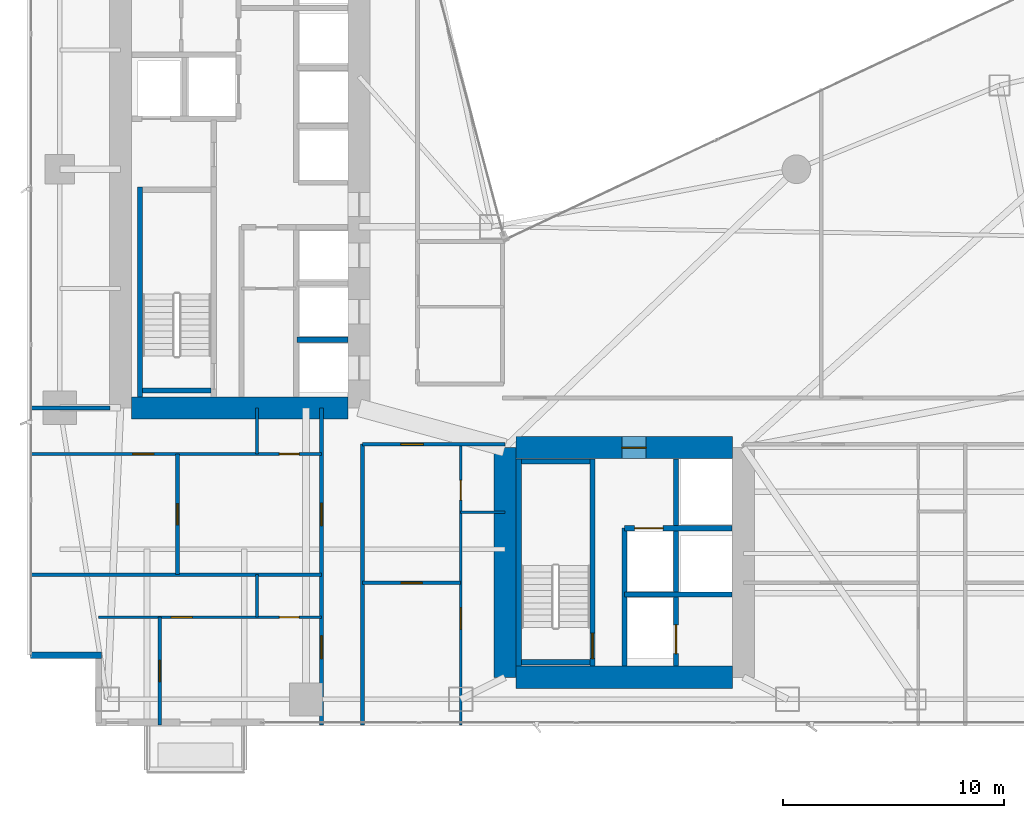
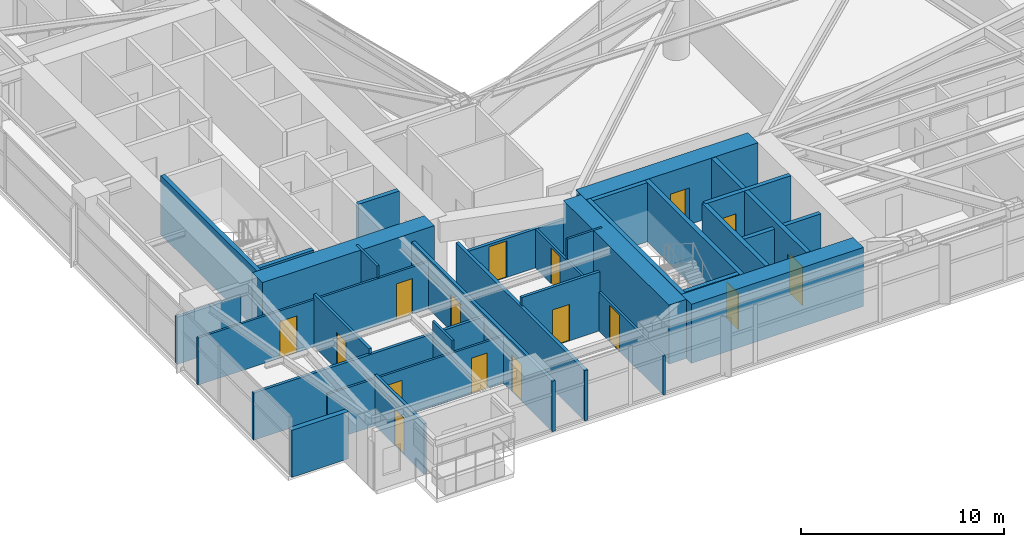
# One storey, part 22 of 29: 30 walls, 16 doors, 16 openings.
"""IFC4 building model written with IfcOpenShell, lengths in metres."""

from ifc_helpers import new_model, si_unit, direction, frame, frame_2d, origin, place, context, subcontext, project, spatial, rectangle, extrude, material, layer, layer_set, type_object, element, fill, save


model = new_model("IFC4")

# Units and contexts
model_context = context("Model", 3, precision=1e-05, world=origin(), true_north=direction((0.0, 1.0)))
body_context = subcontext(model_context, "Body", "Model", "MODEL_VIEW")
ifc_project = project(units=[si_unit("LENGTHUNIT", "METRE"), si_unit("AREAUNIT", "SQUARE_METRE"), si_unit("VOLUMEUNIT", "CUBIC_METRE"), si_unit("PLANEANGLEUNIT", "RADIAN"), si_unit("MASSUNIT", "GRAM", prefix="KILO")], contexts=[model_context])

# Site, building, storey
site_placement = place(None, origin())
site = spatial("IfcSite", under=ifc_project, at=site_placement, CompositionType="ELEMENT")
building_placement = place(site_placement, origin())
building = spatial("IfcBuilding", under=site, at=building_placement, Name="Calvorn Quay Hotel", CompositionType="ELEMENT")
storey_placement = place(building_placement, frame((0.0, 0.0, 69.800048828125)))
storey = spatial("IfcBuildingStorey", under=building, at=storey_placement, Name="L16", CompositionType="ELEMENT", Elevation=69.800048828125)

# Walls
ifc_material_1 = material(Name="Concrete C60", Category="concrete")
ifc_layer_1 = layer(ifc_material_1, 1.0)
ifc_layer_set_1 = layer_set([ifc_layer_1], Name="WL-CORE-1000")
wall_type_1 = type_object("IfcWallType", Name="WL-CORE-1000", PredefinedType="SHEAR", material=ifc_layer_set_1)
wall_1_placement = place(storey_placement, frame((4.699951171875, 16.800048828125, 0.0), z_axis=(0.0, 0.0, 1.0), x_axis=(1.0, 0.0, 0.0)))
element("IfcWall", 1, at=wall_1_placement, inside=storey, type_object=wall_type_1, Name="West Core Shear Wall S (L16)", PredefinedType="SHEAR", context=body_context, shape_type="SweptSolid", body=[
    extrude(rectangle(XDim=9.800048828125, YDim=1.0, at=frame_2d((4.89990234375, 0.0))), origin(), (0.0, 0.0, 1.0), 3.56005859375),
])
wall_2_placement = place(storey_placement, frame((21.60009765625, 4.60009765625, 0.0), z_axis=(0.0, 0.0, 1.0), x_axis=(0.0, 1.0, 0.0)))
element("IfcWall", 2, at=wall_2_placement, inside=storey, type_object=wall_type_1, Name="East Core Shear Wall W (L16)", PredefinedType="SHEAR", context=body_context, shape_type="SweptSolid", body=[
    extrude(rectangle(XDim=10.39990234375, YDim=1.0, at=frame_2d((5.199951171875, 0.0))), origin(), (0.0, 0.0, 1.0), 3.56005859375),
])

# Wall, opening, door
wall_3_placement = place(storey_placement, frame((22.10009765625, 15.0, 0.0), z_axis=(0.0, 0.0, 1.0), x_axis=(1.0, 0.0, 0.0)))
wall_3 = element("IfcWall", 3, at=wall_3_placement, inside=storey, type_object=wall_type_1, Name="East Core Shear Wall N (L16)", PredefinedType="SHEAR", context=body_context, shape_type="SweptSolid", body=[
    extrude(rectangle(XDim=9.7998046875, YDim=1.0, at=frame_2d((4.89990234375, 0.0))), origin(), (0.0, 0.0, 1.0), 3.56005859375),
])
opening_1_placement = place(wall_3_placement, frame((4.800048828125, 0.0, 0.0)))
opening_1 = element("IfcOpeningElement", 4, at=opening_1_placement, cuts=wall_3, Name="Opening D-L16-FLE", PredefinedType="OPENING", context=body_context, shape_type="SweptSolid", body=[
    extrude(rectangle(XDim=1.10009765625, YDim=2.199951171875, at=frame_2d((0.550048828125, 1.10009765625))), frame((0.0, 0.510009765625, 0.0), z_axis=(0.0, -1.0, 0.0), x_axis=(1.0, 0.0, 0.0)), (0.0, 0.0, 1.0), 1.02001953125),
])
ifc_material_2 = material(Name="Smoke-Sealed Steel Class A Fire Door", Category="steel")
door_type_1 = type_object("IfcDoorType", Name="DR-FFLOBBY-1100", OperationType="NOTDEFINED", PredefinedType="DOOR", material=ifc_material_2)
door_1_placement = place(opening_1_placement, origin())
door_1 = element("IfcDoor", 5, at=door_1_placement, inside=storey, type_object=door_type_1, Name="East Firefighting Lobby Fire Door (L16)", OperationType="SINGLE_SWING_RIGHT", OverallHeight=2.199951171875, OverallWidth=1.10009765625, PredefinedType="DOOR", context=body_context, shape_type="SweptSolid", body=[
    extrude(rectangle(XDim=1.10009765625, YDim=2.199951171875, at=frame_2d((0.550048828125, 1.10009765625))), frame((0.0, 0.02490234375, 0.0), z_axis=(0.0, -1.0, 0.0), x_axis=(1.0, 0.0, 0.0)), (0.0, 0.0, 1.0), 0.050048828125),
])
fill(opening_1, door_1)

# Walls
wall_4_placement = place(storey_placement, frame((22.10009765625, 4.60009765625, 0.0), z_axis=(0.0, 0.0, 1.0), x_axis=(1.0, 0.0, 0.0)))
element("IfcWall", 6, at=wall_4_placement, inside=storey, type_object=wall_type_1, Name="East Core Shear Wall S (L16)", PredefinedType="SHEAR", context=body_context, shape_type="SweptSolid", body=[
    extrude(rectangle(XDim=9.7998046875, YDim=1.0, at=frame_2d((4.89990234375, 0.0))), origin(), (0.0, 0.0, 1.0), 3.56005859375),
])
ifc_material_3 = material(Name="Acoustic Fireboard Steel-Stud Partition", Category="steel")
ifc_layer_2 = layer(ifc_material_3, 0.179931640625)
ifc_layer_set_2 = layer_set([ifc_layer_2], Name="WL-CORR-FIRE-180")
wall_type_2 = type_object("IfcWallType", Name="WL-CORR-FIRE-180", PredefinedType="PARTITIONING", material=ifc_layer_set_2)
wall_5_placement = place(storey_placement, frame((0.080078125, 16.800048828125, 0.0), z_axis=(0.0, 0.0, 1.0), x_axis=(1.0, 0.0, 0.0)))
element("IfcWall", 7, at=wall_5_placement, inside=storey, type_object=wall_type_2, Name="Partition Wall L16-WL-WBAY-S-WALL", PredefinedType="PARTITIONING", context=body_context, shape_type="SweptSolid", body=[
    extrude(rectangle(XDim=3.64990234375, YDim=0.179931640625, at=frame_2d((1.824951171875, 0.0))), origin(), (0.0, 0.0, 1.0), 2.83984375),
])

# Wall, openings, doors
wall_6_placement = place(storey_placement, frame((13.300048828125, 2.43994140625, 0.0), z_axis=(0.0, 0.0, 1.0), x_axis=(0.0, 1.0, 0.0)))
wall_6 = element("IfcWall", 8, at=wall_6_placement, inside=storey, type_object=wall_type_2, Name="Partition Wall L16-WL-CORR-SW-LEG-W", PredefinedType="PARTITIONING", context=body_context, shape_type="SweptSolid", body=[
    extrude(rectangle(XDim=14.360107421875, YDim=0.179931640625, at=frame_2d((7.18017578125, 0.0))), origin(), (0.0, 0.0, 1.0), 3.0400390625),
])
opening_2_placement = place(wall_6_placement, frame((3.010009765625, 0.0, 0.0)))
opening_2 = element("IfcOpeningElement", 9, at=opening_2_placement, cuts=wall_6, Name="Opening D-L16-U01", PredefinedType="OPENING", context=body_context, shape_type="SweptSolid", body=[
    extrude(rectangle(XDim=1.02001953125, YDim=2.199951171875, at=frame_2d((0.510009765625, 1.10009765625))), frame((0.0, 0.099853515625, 0.0), z_axis=(0.0, -1.0, 0.0), x_axis=(1.0, 0.0, 0.0)), (0.0, 0.0, 1.0), 0.199951171875),
])
opening_3_placement = place(wall_6_placement, frame((9.030029296875, 0.0, 0.0)))
opening_3 = element("IfcOpeningElement", 10, at=opening_3_placement, cuts=wall_6, Name="Opening D-L16-U02", PredefinedType="OPENING", context=body_context, shape_type="SweptSolid", body=[
    extrude(rectangle(XDim=1.02001953125, YDim=2.199951171875, at=frame_2d((0.510009765625, 1.10009765625))), frame((0.0, 0.099853515625, 0.0), z_axis=(0.0, -1.0, 0.0), x_axis=(1.0, 0.0, 0.0)), (0.0, 0.0, 1.0), 0.199951171875),
])
ifc_material_4 = material(Name="Solid-Core Walnut Veneer Hotel Fire Door")
door_type_2 = type_object("IfcDoorType", Name="DR-GUEST-ENTRY-1020", OperationType="NOTDEFINED", PredefinedType="DOOR", material=ifc_material_4)
door_2_placement = place(opening_2_placement, origin())
door_2 = element("IfcDoor", 11, at=door_2_placement, inside=storey, type_object=door_type_2, Name="South-West Unit Door U01 (L16)", OperationType="SINGLE_SWING_LEFT", OverallHeight=2.199951171875, OverallWidth=1.02001953125, PredefinedType="DOOR", context=body_context, shape_type="SweptSolid", body=[
    extrude(rectangle(XDim=1.02001953125, YDim=2.199951171875, at=frame_2d((0.510009765625, 1.10009765625))), frame((0.0, 0.02490234375, 0.0), z_axis=(0.0, -1.0, 0.0), x_axis=(1.0, 0.0, 0.0)), (0.0, 0.0, 1.0), 0.050048828125),
])
fill(opening_2, door_2)
door_3_placement = place(opening_3_placement, origin())
door_3 = element("IfcDoor", 12, at=door_3_placement, inside=storey, type_object=door_type_2, Name="South-West Unit Door U02 (L16)", OperationType="SINGLE_SWING_RIGHT", OverallHeight=2.199951171875, OverallWidth=1.02001953125, PredefinedType="DOOR", context=body_context, shape_type="SweptSolid", body=[
    extrude(rectangle(XDim=1.02001953125, YDim=2.199951171875, at=frame_2d((0.510009765625, 1.10009765625))), frame((0.0, 0.02490234375, 0.0), z_axis=(0.0, -1.0, 0.0), x_axis=(1.0, 0.0, 0.0)), (0.0, 0.0, 1.0), 0.050048828125),
])
fill(opening_3, door_3)

# Wall
wall_7_placement = place(storey_placement, frame((15.14990234375, 2.43994140625, 0.0), z_axis=(0.0, 0.0, 1.0), x_axis=(0.0, 1.0, 0.0)))
element("IfcWall", 13, at=wall_7_placement, inside=storey, type_object=wall_type_2, Name="Partition Wall L16-WL-CORR-SW-W", PredefinedType="PARTITIONING", context=body_context, shape_type="SweptSolid", body=[
    extrude(rectangle(XDim=12.7099609375, YDim=0.179931640625, at=frame_2d((6.35498046875, 0.0))), origin(), (0.0, 0.0, 1.0), 3.0400390625),
])

# Wall, opening, door
wall_8_placement = place(storey_placement, frame((15.14990234375, 15.14990234375, 0.0), z_axis=(0.0, 0.0, 1.0), x_axis=(1.0, 0.0, 0.0)))
wall_8 = element("IfcWall", 14, at=wall_8_placement, inside=storey, type_object=wall_type_2, Name="Partition Wall L16-WL-SC-CORR-S", PredefinedType="PARTITIONING", context=body_context, shape_type="SweptSolid", body=[
    extrude(rectangle(XDim=6.4501953125, YDim=0.179931640625, at=frame_2d((3.22509765625, 0.0))), origin(), (0.0, 0.0, 1.0), 2.33984375),
])
opening_4_placement = place(wall_8_placement, frame((1.739990234375, 0.0, 0.0)))
opening_4 = element("IfcOpeningElement", 15, at=opening_4_placement, cuts=wall_8, Name="Opening D-L16-U03", PredefinedType="OPENING", context=body_context, shape_type="SweptSolid", body=[
    extrude(rectangle(XDim=1.02001953125, YDim=2.199951171875, at=frame_2d((0.510009765625, 1.10009765625))), frame((0.0, 0.099853515625, 0.0), z_axis=(0.0, -1.0, 0.0), x_axis=(1.0, 0.0, 0.0)), (0.0, 0.0, 1.0), 0.199951171875),
])
door_4_placement = place(opening_4_placement, origin())
door_4 = element("IfcDoor", 16, at=door_4_placement, inside=storey, type_object=door_type_2, Name="Harbour Central Unit Door (L16)", OperationType="SINGLE_SWING_LEFT", OverallHeight=2.199951171875, OverallWidth=1.02001953125, PredefinedType="DOOR", context=body_context, shape_type="SweptSolid", body=[
    extrude(rectangle(XDim=1.02001953125, YDim=2.199951171875, at=frame_2d((0.510009765625, 1.10009765625))), frame((0.0, 0.02490234375, 0.0), z_axis=(0.0, -1.0, 0.0), x_axis=(1.0, 0.0, 0.0)), (0.0, 0.0, 1.0), 0.050048828125),
])
fill(opening_4, door_4)

# Wall
ifc_material_5 = material(Name="Moisture-Resistant Tile-Backed Partition")
ifc_layer_3 = layer(ifc_material_5, 0.125)
ifc_layer_set_3 = layer_set([ifc_layer_3], Name="WL-ENSUITE-125")
wall_type_3 = type_object("IfcWallType", Name="WL-ENSUITE-125", PredefinedType="PARTITIONING", material=ifc_layer_set_3)
wall_9_placement = place(storey_placement, frame((10.3798828125, 7.320068359375, 0.0), z_axis=(0.0, 0.0, 1.0), x_axis=(0.0, 1.0, 0.0)))
element("IfcWall", 17, at=wall_9_placement, inside=storey, type_object=wall_type_3, Name="Partition Wall L16-WL-U01-BDV", PredefinedType="PARTITIONING", context=body_context, shape_type="SweptSolid", body=[
    extrude(rectangle(XDim=1.929931640625, YDim=0.125, at=frame_2d((0.96484375, 0.0))), origin(), (0.0, 0.0, 1.0), 3.56005859375),
])

# Wall, openings, doors
wall_10_placement = place(storey_placement, frame((3.199951171875, 7.320068359375, 0.0), z_axis=(0.0, 0.0, 1.0), x_axis=(1.0, 0.0, 0.0)))
wall_10 = element("IfcWall", 18, at=wall_10_placement, inside=storey, type_object=wall_type_3, Name="Partition Wall L16-WL-U01-BH", PredefinedType="PARTITIONING", context=body_context, shape_type="SweptSolid", body=[
    extrude(rectangle(XDim=10.10009765625, YDim=0.125, at=frame_2d((5.050048828125, 0.0))), origin(), (0.0, 0.0, 1.0), 2.83984375),
])
opening_5_placement = place(wall_10_placement, frame((3.2900390625, 0.0, 0.0)))
opening_5 = element("IfcOpeningElement", 19, at=opening_5_placement, cuts=wall_10, Name="Opening D-L16-S01", PredefinedType="OPENING", context=body_context, shape_type="SweptSolid", body=[
    extrude(rectangle(XDim=0.9599609375, YDim=2.199951171875, at=frame_2d((0.47998046875, 1.10009765625))), frame((0.0, 0.072509765625, 0.0), z_axis=(0.0, -1.0, 0.0), x_axis=(1.0, 0.0, 0.0)), (0.0, 0.0, 1.0), 0.14501953125),
])
opening_6_placement = place(wall_10_placement, frame((8.18994140625, 0.0, 0.0)))
opening_6 = element("IfcOpeningElement", 20, at=opening_6_placement, cuts=wall_10, Name="Opening D-L16-E01", PredefinedType="OPENING", context=body_context, shape_type="SweptSolid", body=[
    extrude(rectangle(XDim=0.89990234375, YDim=2.14990234375, at=frame_2d((0.449951171875, 1.074951171875))), frame((0.0, 0.072509765625, 0.0), z_axis=(0.0, -1.0, 0.0), x_axis=(1.0, 0.0, 0.0)), (0.0, 0.0, 1.0), 0.14501953125),
])
ifc_material_6 = material(Name="Moisture-Sealed Timber En-Suite Door", Category="wood")
door_type_3 = type_object("IfcDoorType", Name="DR-ENSUITE-900", OperationType="NOTDEFINED", PredefinedType="DOOR", material=ifc_material_6)
door_5_placement = place(opening_6_placement, origin())
door_5 = element("IfcDoor", 21, at=door_5_placement, inside=storey, type_object=door_type_3, Name="En-Suite Door 01", OperationType="SINGLE_SWING_RIGHT", OverallHeight=2.14990234375, OverallWidth=0.89990234375, PredefinedType="DOOR", context=body_context, shape_type="SweptSolid", body=[
    extrude(rectangle(XDim=0.89990234375, YDim=2.14990234375, at=frame_2d((0.449951171875, 1.074951171875))), frame((0.0, 0.02490234375, 0.0), z_axis=(0.0, -1.0, 0.0), x_axis=(1.0, 0.0, 0.0)), (0.0, 0.0, 1.0), 0.050048828125),
])
fill(opening_6, door_5)
ifc_material_7 = material(Name="Solid Timber Internal Suite Door", Category="wood")
door_type_4 = type_object("IfcDoorType", Name="DR-SUITE-INT-960", OperationType="NOTDEFINED", PredefinedType="DOOR", material=ifc_material_7)
door_6_placement = place(opening_5_placement, origin())
door_6 = element("IfcDoor", 22, at=door_6_placement, inside=storey, type_object=door_type_4, Name="Spa Therapy Room Door 01", OperationType="SINGLE_SWING_LEFT", OverallHeight=2.199951171875, OverallWidth=0.9599609375, PredefinedType="DOOR", context=body_context, shape_type="SweptSolid", body=[
    extrude(rectangle(XDim=0.9599609375, YDim=2.199951171875, at=frame_2d((0.47998046875, 1.10009765625))), frame((0.0, 0.02490234375, 0.0), z_axis=(0.0, -1.0, 0.0), x_axis=(1.0, 0.0, 0.0)), (0.0, 0.0, 1.0), 0.050048828125),
])
fill(opening_5, door_6)

# Wall
wall_11_placement = place(storey_placement, frame((10.3798828125, 14.7099609375, 0.0), z_axis=(0.0, 0.0, 1.0), x_axis=(0.0, 1.0, 0.0)))
element("IfcWall", 23, at=wall_11_placement, inside=storey, type_object=wall_type_3, Name="Partition Wall L16-WL-U02-BDV", PredefinedType="PARTITIONING", context=body_context, shape_type="SweptSolid", body=[
    extrude(rectangle(XDim=2.090087890625, YDim=0.125, at=frame_2d((1.044921875, 0.0))), origin(), (0.0, 0.0, 1.0), 3.56005859375),
])

# Wall, openings, doors
wall_12_placement = place(storey_placement, frame((0.080078125, 14.7099609375, 0.0), z_axis=(0.0, 0.0, 1.0), x_axis=(1.0, 0.0, 0.0)))
wall_12 = element("IfcWall", 24, at=wall_12_placement, inside=storey, type_object=wall_type_3, Name="Partition Wall L16-WL-U02-BH", PredefinedType="PARTITIONING", context=body_context, shape_type="SweptSolid", body=[
    extrude(rectangle(XDim=13.219970703125, YDim=0.125, at=frame_2d((6.60986328125, 0.0))), origin(), (0.0, 0.0, 1.0), 2.83984375),
])
opening_7_placement = place(wall_12_placement, frame((4.669921875, 0.0, 0.0)))
opening_7 = element("IfcOpeningElement", 25, at=opening_7_placement, cuts=wall_12, Name="Opening D-L16-S02", PredefinedType="OPENING", context=body_context, shape_type="SweptSolid", body=[
    extrude(rectangle(XDim=0.9599609375, YDim=2.199951171875, at=frame_2d((0.47998046875, 1.10009765625))), frame((0.0, 0.072509765625, 0.0), z_axis=(0.0, -1.0, 0.0), x_axis=(1.0, 0.0, 0.0)), (0.0, 0.0, 1.0), 0.14501953125),
])
opening_8_placement = place(wall_12_placement, frame((11.31005859375, 0.0, 0.0)))
opening_8 = element("IfcOpeningElement", 26, at=opening_8_placement, cuts=wall_12, Name="Opening D-L16-E02", PredefinedType="OPENING", context=body_context, shape_type="SweptSolid", body=[
    extrude(rectangle(XDim=0.89990234375, YDim=2.14990234375, at=frame_2d((0.449951171875, 1.074951171875))), frame((0.0, 0.072509765625, 0.0), z_axis=(0.0, -1.0, 0.0), x_axis=(1.0, 0.0, 0.0)), (0.0, 0.0, 1.0), 0.14501953125),
])
door_7_placement = place(opening_8_placement, origin())
door_7 = element("IfcDoor", 27, at=door_7_placement, inside=storey, type_object=door_type_3, Name="En-Suite Door 02", OperationType="SINGLE_SWING_RIGHT", OverallHeight=2.14990234375, OverallWidth=0.89990234375, PredefinedType="DOOR", context=body_context, shape_type="SweptSolid", body=[
    extrude(rectangle(XDim=0.89990234375, YDim=2.14990234375, at=frame_2d((0.449951171875, 1.074951171875))), frame((0.0, 0.02490234375, 0.0), z_axis=(0.0, -1.0, 0.0), x_axis=(1.0, 0.0, 0.0)), (0.0, 0.0, 1.0), 0.050048828125),
])
fill(opening_8, door_7)
door_8_placement = place(opening_7_placement, origin())
door_8 = element("IfcDoor", 28, at=door_8_placement, inside=storey, type_object=door_type_4, Name="Spa Therapy Room Door 02", OperationType="SINGLE_SWING_LEFT", OverallHeight=2.199951171875, OverallWidth=0.9599609375, PredefinedType="DOOR", context=body_context, shape_type="SweptSolid", body=[
    extrude(rectangle(XDim=0.9599609375, YDim=2.199951171875, at=frame_2d((0.47998046875, 1.10009765625))), frame((0.0, 0.02490234375, 0.0), z_axis=(0.0, -1.0, 0.0), x_axis=(1.0, 0.0, 0.0)), (0.0, 0.0, 1.0), 0.050048828125),
])
fill(opening_7, door_8)

# Wall
wall_13_placement = place(storey_placement, frame((19.60009765625, 12.070068359375, 0.0), z_axis=(0.0, 0.0, 1.0), x_axis=(1.0, 0.0, 0.0)))
element("IfcWall", 29, at=wall_13_placement, inside=storey, type_object=wall_type_3, Name="Partition Wall L16-WL-U03-BDV", PredefinedType="PARTITIONING", context=body_context, shape_type="SweptSolid", body=[
    extrude(rectangle(XDim=2.0, YDim=0.125, at=frame_2d((1.0, 0.0))), origin(), (0.0, 0.0, 1.0), 3.56005859375),
])

# Wall, openings, doors
wall_14_placement = place(storey_placement, frame((19.60009765625, 2.43994140625, 0.0), z_axis=(0.0, 0.0, 1.0), x_axis=(0.0, 1.0, 0.0)))
wall_14 = element("IfcWall", 30, at=wall_14_placement, inside=storey, type_object=wall_type_3, Name="Partition Wall L16-WL-U03-BV", PredefinedType="PARTITIONING", context=body_context, shape_type="SweptSolid", body=[
    extrude(rectangle(XDim=12.7099609375, YDim=0.125, at=frame_2d((6.35498046875, 0.0))), origin(), (0.0, 0.0, 1.0), 2.33984375),
])
opening_9_placement = place(wall_14_placement, frame((4.340087890625, 0.0, 0.0)))
opening_9 = element("IfcOpeningElement", 31, at=opening_9_placement, cuts=wall_14, Name="Opening D-L16-S03", PredefinedType="OPENING", context=body_context, shape_type="SweptSolid", body=[
    extrude(rectangle(XDim=0.9599609375, YDim=2.199951171875, at=frame_2d((0.47998046875, 1.10009765625))), frame((0.0, 0.072509765625, 0.0), z_axis=(0.0, -1.0, 0.0), x_axis=(1.0, 0.0, 0.0)), (0.0, 0.0, 1.0), 0.14501953125),
])
opening_10_placement = place(wall_14_placement, frame((10.179931640625, 0.0, 0.0)))
opening_10 = element("IfcOpeningElement", 32, at=opening_10_placement, cuts=wall_14, Name="Opening D-L16-E03", PredefinedType="OPENING", context=body_context, shape_type="SweptSolid", body=[
    extrude(rectangle(XDim=0.89990234375, YDim=2.14990234375, at=frame_2d((0.449951171875, 1.074951171875))), frame((0.0, 0.072509765625, 0.0), z_axis=(0.0, -1.0, 0.0), x_axis=(1.0, 0.0, 0.0)), (0.0, 0.0, 1.0), 0.14501953125),
])
door_9_placement = place(opening_10_placement, origin())
door_9 = element("IfcDoor", 33, at=door_9_placement, inside=storey, type_object=door_type_3, Name="En-Suite Door 03", OperationType="SINGLE_SWING_RIGHT", OverallHeight=2.14990234375, OverallWidth=0.89990234375, PredefinedType="DOOR", context=body_context, shape_type="SweptSolid", body=[
    extrude(rectangle(XDim=0.89990234375, YDim=2.14990234375, at=frame_2d((0.449951171875, 1.074951171875))), frame((0.0, 0.02490234375, 0.0), z_axis=(0.0, -1.0, 0.0), x_axis=(1.0, 0.0, 0.0)), (0.0, 0.0, 1.0), 0.050048828125),
])
fill(opening_10, door_9)
door_10_placement = place(opening_9_placement, origin())
door_10 = element("IfcDoor", 34, at=door_10_placement, inside=storey, type_object=door_type_4, Name="Spa Therapy Room Door 03", OperationType="SINGLE_SWING_LEFT", OverallHeight=2.199951171875, OverallWidth=0.9599609375, PredefinedType="DOOR", context=body_context, shape_type="SweptSolid", body=[
    extrude(rectangle(XDim=0.9599609375, YDim=2.199951171875, at=frame_2d((0.47998046875, 1.10009765625))), frame((0.0, 0.02490234375, 0.0), z_axis=(0.0, -1.0, 0.0), x_axis=(1.0, 0.0, 0.0)), (0.0, 0.0, 1.0), 0.050048828125),
])
fill(opening_9, door_10)

# Wall
ifc_material_8 = material(Name="Concrete C40", Category="concrete")
ifc_layer_4 = layer(ifc_material_8, 0.320068359375)
ifc_layer_set_4 = layer_set([ifc_layer_4], Name="WL-EXT-SPANDREL-320")
wall_type_4 = type_object("IfcWallType", Name="WL-EXT-SPANDREL-320", PredefinedType="SOLIDWALL", material=ifc_layer_set_4)
wall_15_placement = place(storey_placement, frame((0.1201171875, 5.60009765625, 0.0), z_axis=(0.0, 0.0, 1.0), x_axis=(1.0, 0.0, 0.0)))
element("IfcWall", 35, at=wall_15_placement, inside=storey, type_object=wall_type_4, Name="Notched Corner Spandrel L16-SW1", PredefinedType="SOLIDWALL", context=body_context, shape_type="SweptSolid", body=[
    extrude(rectangle(XDim=3.219970703125, YDim=0.280029296875, at=frame_2d((1.60986328125, 0.0))), origin(), (0.0, 0.0, 1.0), 2.83984375),
])

# Wall, opening, door
ifc_material_9 = material(Name="Double-Stud Acoustic Gypsum Partition")
ifc_layer_5 = layer(ifc_material_9, 0.159912109375)
ifc_layer_set_5 = layer_set([ifc_layer_5], Name="WL-INTERSUITE-160")
wall_type_5 = type_object("IfcWallType", Name="WL-INTERSUITE-160", PredefinedType="PARTITIONING", material=ifc_layer_set_5)
wall_16_placement = place(storey_placement, frame((5.97998046875, 2.43994140625, 0.0), z_axis=(0.0, 0.0, 1.0), x_axis=(0.0, 1.0, 0.0)))
wall_16 = element("IfcWall", 36, at=wall_16_placement, inside=storey, type_object=wall_type_5, Name="Partition Wall L16-WL-U01-MSP", PredefinedType="PARTITIONING", context=body_context, shape_type="SweptSolid", body=[
    extrude(rectangle(XDim=4.880126953125, YDim=0.159912109375, at=frame_2d((2.43994140625, 0.0))), origin(), (0.0, 0.0, 1.0), 3.0400390625),
])
opening_11_placement = place(wall_16_placement, frame((1.9599609375, 0.0, 0.0)))
opening_11 = element("IfcOpeningElement", 37, at=opening_11_placement, cuts=wall_16, Name="Opening D-L16-M01", PredefinedType="OPENING", context=body_context, shape_type="SweptSolid", body=[
    extrude(rectangle(XDim=0.9599609375, YDim=2.199951171875, at=frame_2d((0.47998046875, 1.10009765625))), frame((0.0, 0.08984375, 0.0), z_axis=(0.0, -1.0, 0.0), x_axis=(1.0, 0.0, 0.0)), (0.0, 0.0, 1.0), 0.179931640625),
])
door_11_placement = place(opening_11_placement, origin())
door_11 = element("IfcDoor", 38, at=door_11_placement, inside=storey, type_object=door_type_4, Name="Suite Bedroom Door 01", OperationType="SINGLE_SWING_LEFT", OverallHeight=2.199951171875, OverallWidth=0.9599609375, PredefinedType="DOOR", context=body_context, shape_type="SweptSolid", body=[
    extrude(rectangle(XDim=0.9599609375, YDim=2.199951171875, at=frame_2d((0.47998046875, 1.10009765625))), frame((0.0, 0.02490234375, 0.0), z_axis=(0.0, -1.0, 0.0), x_axis=(1.0, 0.0, 0.0)), (0.0, 0.0, 1.0), 0.050048828125),
])
fill(opening_11, door_11)

wall_17_placement = place(storey_placement, frame((6.780029296875, 9.25, 0.0), z_axis=(0.0, 0.0, 1.0), x_axis=(0.0, 1.0, 0.0)))
wall_17 = element("IfcWall", 39, at=wall_17_placement, inside=storey, type_object=wall_type_5, Name="Partition Wall L16-WL-U02-MSP", PredefinedType="PARTITIONING", context=body_context, shape_type="SweptSolid", body=[
    extrude(rectangle(XDim=5.4599609375, YDim=0.159912109375, at=frame_2d((2.72998046875, 0.0))), origin(), (0.0, 0.0, 1.0), 3.139892578125),
])
opening_12_placement = place(wall_17_placement, frame((2.25, 0.0, 0.0)))
opening_12 = element("IfcOpeningElement", 40, at=opening_12_placement, cuts=wall_17, Name="Opening D-L16-M02", PredefinedType="OPENING", context=body_context, shape_type="SweptSolid", body=[
    extrude(rectangle(XDim=0.9599609375, YDim=2.199951171875, at=frame_2d((0.47998046875, 1.10009765625))), frame((0.0, 0.08984375, 0.0), z_axis=(0.0, -1.0, 0.0), x_axis=(1.0, 0.0, 0.0)), (0.0, 0.0, 1.0), 0.179931640625),
])
door_12_placement = place(opening_12_placement, origin())
door_12 = element("IfcDoor", 41, at=door_12_placement, inside=storey, type_object=door_type_4, Name="Suite Bedroom Door 02", OperationType="SINGLE_SWING_LEFT", OverallHeight=2.199951171875, OverallWidth=0.9599609375, PredefinedType="DOOR", context=body_context, shape_type="SweptSolid", body=[
    extrude(rectangle(XDim=0.9599609375, YDim=2.199951171875, at=frame_2d((0.47998046875, 1.10009765625))), frame((0.0, 0.02490234375, 0.0), z_axis=(0.0, -1.0, 0.0), x_axis=(1.0, 0.0, 0.0)), (0.0, 0.0, 1.0), 0.050048828125),
])
fill(opening_12, door_12)

# Wall
wall_18_placement = place(storey_placement, frame((0.080078125, 9.25, 0.0), z_axis=(0.0, 0.0, 1.0), x_axis=(1.0, 0.0, 0.0)))
element("IfcWall", 42, at=wall_18_placement, inside=storey, type_object=wall_type_5, Name="Partition Wall L16-WL-SW-DIV-1", PredefinedType="PARTITIONING", context=body_context, shape_type="SweptSolid", body=[
    extrude(rectangle(XDim=13.219970703125, YDim=0.159912109375, at=frame_2d((6.60986328125, 0.0))), origin(), (0.0, 0.0, 1.0), 2.83984375),
])

# Wall, opening, door
wall_19_placement = place(storey_placement, frame((15.14990234375, 8.8701171875, 0.0), z_axis=(0.0, 0.0, 1.0), x_axis=(1.0, 0.0, 0.0)))
wall_19 = element("IfcWall", 43, at=wall_19_placement, inside=storey, type_object=wall_type_5, Name="Partition Wall L16-WL-U03-MSP", PredefinedType="PARTITIONING", context=body_context, shape_type="SweptSolid", body=[
    extrude(rectangle(XDim=4.4501953125, YDim=0.159912109375, at=frame_2d((2.22509765625, 0.0))), origin(), (0.0, 0.0, 1.0), 3.56005859375),
])
opening_13_placement = place(wall_19_placement, frame((1.75, 0.0, 0.0)))
opening_13 = element("IfcOpeningElement", 44, at=opening_13_placement, cuts=wall_19, Name="Opening D-L16-M03", PredefinedType="OPENING", context=body_context, shape_type="SweptSolid", body=[
    extrude(rectangle(XDim=0.9599609375, YDim=2.199951171875, at=frame_2d((0.47998046875, 1.10009765625))), frame((0.0, 0.08984375, 0.0), z_axis=(0.0, -1.0, 0.0), x_axis=(1.0, 0.0, 0.0)), (0.0, 0.0, 1.0), 0.179931640625),
])
door_13_placement = place(opening_13_placement, origin())
door_13 = element("IfcDoor", 45, at=door_13_placement, inside=storey, type_object=door_type_4, Name="Suite Bedroom Door 03", OperationType="SINGLE_SWING_LEFT", OverallHeight=2.199951171875, OverallWidth=0.9599609375, PredefinedType="DOOR", context=body_context, shape_type="SweptSolid", body=[
    extrude(rectangle(XDim=0.9599609375, YDim=2.199951171875, at=frame_2d((0.47998046875, 1.10009765625))), frame((0.0, 0.02490234375, 0.0), z_axis=(0.0, -1.0, 0.0), x_axis=(1.0, 0.0, 0.0)), (0.0, 0.0, 1.0), 0.050048828125),
])
fill(opening_13, door_13)

# Walls
ifc_material_10 = material(Name="Concrete C40", Category="concrete")
ifc_layer_6 = layer(ifc_material_10, 0.239990234375)
ifc_layer_set_6 = layer_set([ifc_layer_6], Name="WL-SHAFT-240")
wall_type_6 = type_object("IfcWallType", Name="WL-SHAFT-240", PredefinedType="SOLIDWALL", material=ifc_layer_set_6)
wall_20_placement = place(storey_placement, frame((5.080078125, 17.300048828125, 0.0), z_axis=(0.0, 0.0, 1.0), x_axis=(0.0, 1.0, 0.0)))
element("IfcWall", 46, at=wall_20_placement, inside=storey, type_object=wall_type_6, Name="Stair STW Shaft Wall W (L16)", PredefinedType="SOLIDWALL", context=body_context, shape_type="SweptSolid", body=[
    extrude(rectangle(XDim=9.489990234375, YDim=0.239990234375, at=frame_2d((4.7451171875, 0.0))), origin(), (0.0, 0.0, 1.0), 3.56005859375),
])
wall_21_placement = place(storey_placement, frame((5.199951171875, 17.580078125, 0.0), z_axis=(0.0, 0.0, 1.0), x_axis=(1.0, 0.0, 0.0)))
element("IfcWall", 47, at=wall_21_placement, inside=storey, type_object=wall_type_6, Name="Stair STW Shaft Wall S (L16)", PredefinedType="SOLIDWALL", context=body_context, shape_type="SweptSolid", body=[
    extrude(rectangle(XDim=3.10009765625, YDim=0.239990234375, at=frame_2d((1.550048828125, 0.0))), origin(), (0.0, 0.0, 1.0), 3.56005859375),
])
wall_22_placement = place(storey_placement, frame((22.22998046875, 5.10009765625, 0.0), z_axis=(0.0, 0.0, 1.0), x_axis=(0.0, 1.0, 0.0)))
element("IfcWall", 48, at=wall_22_placement, inside=storey, type_object=wall_type_6, Name="Stair STE Shaft Wall W (L16)", PredefinedType="SOLIDWALL", context=body_context, shape_type="SweptSolid", body=[
    extrude(rectangle(XDim=9.389892578125, YDim=0.239990234375, at=frame_2d((4.69482421875, 0.0))), origin(), (0.0, 0.0, 1.0), 3.56005859375),
])

# Wall, opening, door
wall_23_placement = place(storey_placement, frame((25.570068359375, 5.10009765625, 0.0), z_axis=(0.0, 0.0, 1.0), x_axis=(0.0, 1.0, 0.0)))
wall_23 = element("IfcWall", 49, at=wall_23_placement, inside=storey, type_object=wall_type_6, Name="Stair STE Shaft Wall E (L16)", PredefinedType="SOLIDWALL", context=body_context, shape_type="SweptSolid", body=[
    extrude(rectangle(XDim=9.389892578125, YDim=0.239990234375, at=frame_2d((4.69482421875, 0.0))), origin(), (0.0, 0.0, 1.0), 3.56005859375),
])
opening_14_placement = place(wall_23_placement, frame((0.35009765625, 0.0, 0.0)))
opening_14 = element("IfcOpeningElement", 50, at=opening_14_placement, cuts=wall_23, Name="Opening D-L16-STE", PredefinedType="OPENING", context=body_context, shape_type="SweptSolid", body=[
    extrude(rectangle(XDim=1.14990234375, YDim=2.199951171875, at=frame_2d((0.574951171875, 1.10009765625))), frame((0.0, 0.1298828125, 0.0), z_axis=(0.0, -1.0, 0.0), x_axis=(1.0, 0.0, 0.0)), (0.0, 0.0, 1.0), 0.260009765625),
])
ifc_material_11 = material(Name="Galvanised Steel Class A Fire Door", Category="steel")
door_type_5 = type_object("IfcDoorType", Name="DR-STAIR-SMOKE-1150", OperationType="NOTDEFINED", PredefinedType="DOOR", material=ifc_material_11)
door_14_placement = place(opening_14_placement, origin())
door_14 = element("IfcDoor", 51, at=door_14_placement, inside=storey, type_object=door_type_5, Name="Stair ST-E Fire Door (L16)", OperationType="SINGLE_SWING_RIGHT", OverallHeight=2.199951171875, OverallWidth=1.14990234375, PredefinedType="DOOR", context=body_context, shape_type="SweptSolid", body=[
    extrude(rectangle(XDim=1.14990234375, YDim=2.199951171875, at=frame_2d((0.574951171875, 1.10009765625))), frame((0.0, 0.02490234375, 0.0), z_axis=(0.0, -1.0, 0.0), x_axis=(1.0, 0.0, 0.0)), (0.0, 0.0, 1.0), 0.050048828125),
])
fill(opening_14, door_14)

# Walls
for number, where, z_axis, x_axis, name in (
    (52, (22.35009765625, 5.280029296875, 0.0), (0.0, 0.0, 1.0), (1.0, 0.0, 0.0), "Stair STE Shaft Wall S (L16)"),
    (53, (22.35009765625, 14.3701171875, 0.0), (0.0, 0.0, 1.0), (1.0, 0.0, 0.0), "Stair STE Shaft Wall N (L16)"),
):
    element("IfcWall", number, at=place(storey_placement, frame(where, z_axis=z_axis, x_axis=x_axis)), inside=storey, type_object=wall_type_6, Name=name, PredefinedType="SOLIDWALL", context=body_context, shape_type="SweptSolid", body=[
        extrude(rectangle(XDim=3.099853515625, YDim=0.239990234375, at=frame_2d((1.5498046875, 0.0))), origin(), (0.0, 0.0, 1.0), 3.56005859375),
    ])
wall_24_placement = place(storey_placement, frame((12.179931640625, 19.875, 0.0), z_axis=(0.0, 0.0, 1.0), x_axis=(1.0, 0.0, 0.0)))
element("IfcWall", 54, at=wall_24_placement, inside=storey, type_object=wall_type_6, Name="Lift Hoistway Divider Wall PLL12 (L16)", PredefinedType="SOLIDWALL", context=body_context, shape_type="SweptSolid", body=[
    extrude(rectangle(XDim=2.320068359375, YDim=0.239990234375, at=frame_2d((1.16015625, 0.0))), origin(), (0.0, 0.0, 1.0), 3.56005859375),
])
wall_25_placement = place(storey_placement, frame((27.02001953125, 5.1201171875, 0.0), z_axis=(0.0, 0.0, 1.0), x_axis=(0.0, 1.0, 0.0)))
element("IfcWall", 55, at=wall_25_placement, inside=storey, type_object=wall_type_6, Name="Partition Wall L16-WL-CWE-SH-W", PredefinedType="SOLIDWALL", context=body_context, shape_type="SweptSolid", body=[
    extrude(rectangle(XDim=6.22998046875, YDim=0.239990234375, at=frame_2d((3.114990234375, 0.0))), origin(), (0.0, 0.0, 1.0), 3.56005859375),
])

# Wall, opening, door
wall_26_placement = place(storey_placement, frame((27.02001953125, 11.35009765625, 0.0), z_axis=(0.0, 0.0, 1.0), x_axis=(1.0, 0.0, 0.0)))
wall_26 = element("IfcWall", 56, at=wall_26_placement, inside=storey, type_object=wall_type_6, Name="Partition Wall L16-WL-CWE-FFL-S", PredefinedType="SOLIDWALL", context=body_context, shape_type="SweptSolid", body=[
    extrude(rectangle(XDim=4.85986328125, YDim=0.239990234375, at=frame_2d((2.429931640625, 0.0))), origin(), (0.0, 0.0, 1.0), 3.56005859375),
])
opening_15_placement = place(wall_26_placement, frame((0.449951171875, 0.0, 0.0)))
opening_15 = element("IfcOpeningElement", 57, at=opening_15_placement, cuts=wall_26, Name="Opening LD-L16-FLE1", PredefinedType="OPENING", context=body_context, shape_type="SweptSolid", body=[
    extrude(rectangle(XDim=1.300048828125, YDim=2.35009765625, at=frame_2d((0.64990234375, 1.175048828125))), frame((0.0, 0.1298828125, 0.0), z_axis=(0.0, -1.0, 0.0), x_axis=(1.0, 0.0, 0.0)), (0.0, 0.0, 1.0), 0.260009765625),
])
ifc_material_12 = material(Name="Champagne-Bronze Sliding Express Lift Landing Door")
door_type_6 = type_object("IfcDoorType", Name="DR-LIFT-SHUTTLE-1300", OperationType="NOTDEFINED", PredefinedType="DOOR", material=ifc_material_12)
door_15_placement = place(opening_15_placement, origin())
door_15 = element("IfcDoor", 58, at=door_15_placement, inside=storey, type_object=door_type_6, Name="Firefighting Lift FL-E1 Landing Door (L16)", OperationType="DOUBLE_DOOR_SLIDING", OverallHeight=2.35009765625, OverallWidth=1.300048828125, PredefinedType="DOOR", context=body_context, shape_type="SweptSolid", body=[
    extrude(rectangle(XDim=1.300048828125, YDim=2.35009765625, at=frame_2d((0.64990234375, 1.175048828125))), frame((0.0, 0.02490234375, 0.0), z_axis=(0.0, -1.0, 0.0), x_axis=(1.0, 0.0, 0.0)), (0.0, 0.0, 1.0), 0.050048828125),
])
fill(opening_15, door_15)

# Wall
wall_27_placement = place(storey_placement, frame((27.02001953125, 8.35009765625, 0.0), z_axis=(0.0, 0.0, 1.0), x_axis=(1.0, 0.0, 0.0)))
element("IfcWall", 59, at=wall_27_placement, inside=storey, type_object=wall_type_6, Name="Partition Wall L16-WL-CWE-SL-N", PredefinedType="SOLIDWALL", context=body_context, shape_type="SweptSolid", body=[
    extrude(rectangle(XDim=4.85986328125, YDim=0.239990234375, at=frame_2d((2.429931640625, 0.0))), origin(), (0.0, 0.0, 1.0), 3.08984375),
])

# Wall, opening, door
wall_28_placement = place(storey_placement, frame((29.35009765625, 5.1201171875, 0.0), z_axis=(0.0, 0.0, 1.0), x_axis=(0.0, 1.0, 0.0)))
wall_28 = element("IfcWall", 60, at=wall_28_placement, inside=storey, type_object=wall_type_6, Name="Partition Wall L16-WL-CWE-OB-W", PredefinedType="SOLIDWALL", context=body_context, shape_type="SweptSolid", body=[
    extrude(rectangle(XDim=9.35986328125, YDim=0.239990234375, at=frame_2d((4.679931640625, 0.0))), origin(), (0.0, 0.0, 1.0), 3.56005859375),
])
opening_16_placement = place(wall_28_placement, frame((0.550048828125, 0.0, 0.0)))
opening_16 = element("IfcOpeningElement", 61, at=opening_16_placement, cuts=wall_28, Name="Opening LD-L16-SLEI", PredefinedType="OPENING", context=body_context, shape_type="SweptSolid", body=[
    extrude(rectangle(XDim=1.300048828125, YDim=2.35009765625, at=frame_2d((0.64990234375, 1.175048828125))), frame((0.0, 0.1298828125, 0.0), z_axis=(0.0, -1.0, 0.0), x_axis=(1.0, 0.0, 0.0)), (0.0, 0.0, 1.0), 0.260009765625),
])
door_16_placement = place(opening_16_placement, origin())
door_16 = element("IfcDoor", 62, at=door_16_placement, inside=storey, type_object=door_type_6, Name="Service Lift SL-E1 Landing Door (L16)", OperationType="DOUBLE_DOOR_SLIDING", OverallHeight=2.35009765625, OverallWidth=1.300048828125, PredefinedType="DOOR", context=body_context, shape_type="SweptSolid", body=[
    extrude(rectangle(XDim=1.300048828125, YDim=2.35009765625, at=frame_2d((0.64990234375, 1.175048828125))), frame((0.0, 0.02490234375, 0.0), z_axis=(0.0, -1.0, 0.0), x_axis=(1.0, 0.0, 0.0)), (0.0, 0.0, 1.0), 0.050048828125),
])
fill(opening_16, door_16)

save(model, "model.ifc")
